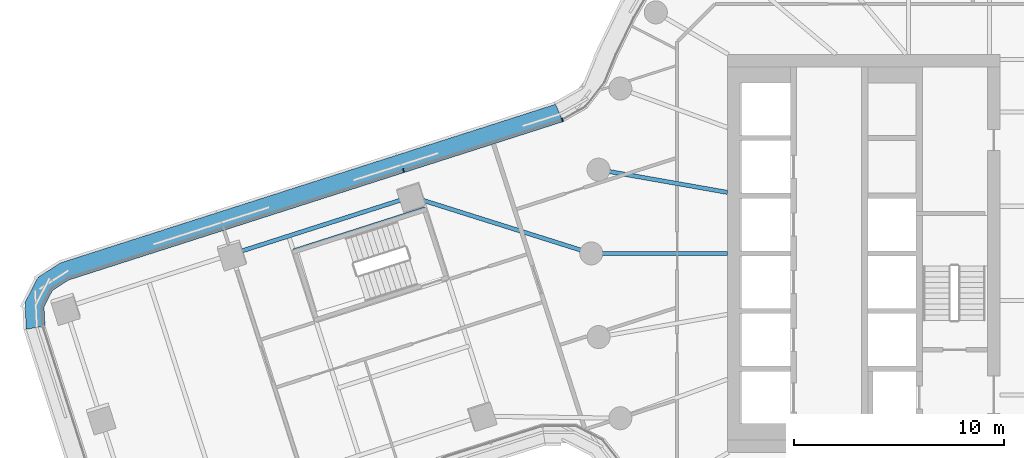
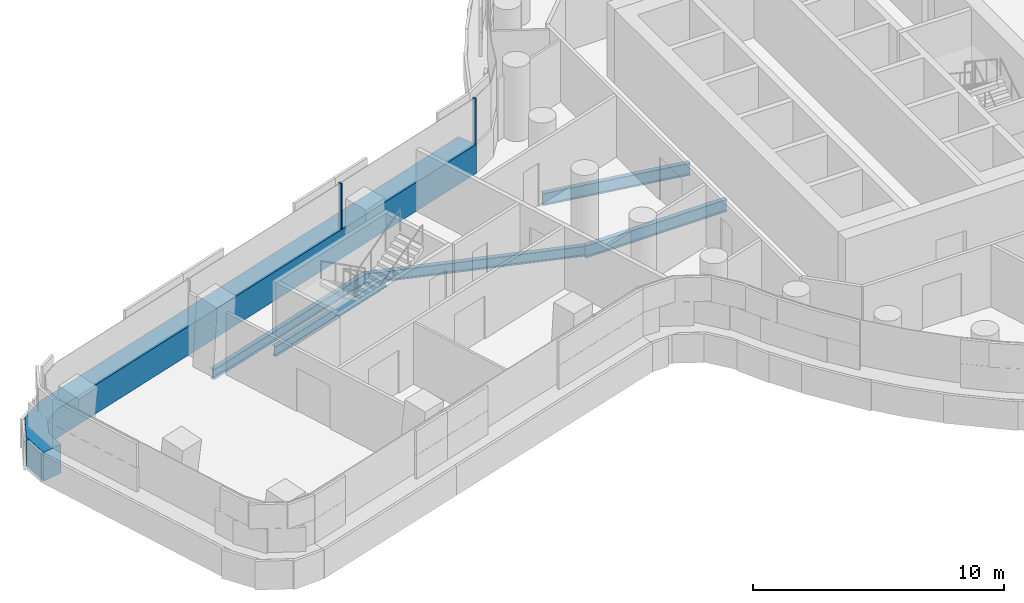
# One storey, part 6 of 30: 5 beams, 3 members, 1 element without a shape of its own.
"""IFC4 building model written with IfcOpenShell, lengths in metres."""

from ifc_helpers import new_model, si_unit, direction, frame, origin, origin_2d, place, context, subcontext, project, spatial, polyline, rectangle, i_section, outline, extrude, material, layer, layer_set, material_profile, profile_set, type_object, element, aggregate, save


model = new_model("IFC4")

# Units and contexts
model_context = context("Model", 3, precision=1e-05, world=origin(), true_north=direction((0.0, 1.0)))
body_context = subcontext(model_context, "Body", "Model", "MODEL_VIEW")
ifc_project = project(units=[si_unit("LENGTHUNIT", "METRE"), si_unit("AREAUNIT", "SQUARE_METRE"), si_unit("VOLUMEUNIT", "CUBIC_METRE"), si_unit("PLANEANGLEUNIT", "RADIAN"), si_unit("MASSUNIT", "GRAM", prefix="KILO")], contexts=[model_context])

# Site, building, storey
site_placement = place(None, origin())
site = spatial("IfcSite", under=ifc_project, at=site_placement, CompositionType="ELEMENT")
building_placement = place(site_placement, origin())
building = spatial("IfcBuilding", under=site, at=building_placement, Name="Tamarind Cross Interchange Tower", CompositionType="ELEMENT")
storey_placement = place(building_placement, frame((0.0, 0.0, 98.5)))
storey = spatial("IfcBuildingStorey", under=building, at=storey_placement, Name="L23", CompositionType="ELEMENT", Elevation=98.5)

# Beams
ifc_material_1 = material(Name="Steel Q355B", Category="steel")
ifc_material_profile_1 = material_profile(ifc_material_1, i_section(OverallWidth=0.198974609375, OverallDepth=0.49609375, WebThickness=0.009033203125, FlangeThickness=0.013916015625, FilletRadius=0.012939453125, at=origin_2d()), Name="HN 496x199x9x14")
ifc_profile_set_1 = profile_set([ifc_material_profile_1], Name="Steel Q355B")
beam_type_1 = type_object("IfcBeamType", Name="Composite beam HN 496x199x9x14 Q355B", PredefinedType="BEAM", material=ifc_profile_set_1)
beam_1_placement = place(storey_placement, frame((-40.153076171875, -0.03955078125, -0.387939453125), z_axis=(0.952336859309, 0.305048367314, 0.0), x_axis=(-0.305048367314, 0.952336859309, 0.0)))
element("IfcBeam", 1, at=beam_1_placement, inside=storey, type_object=beam_type_1, Name="Beam W-edgeem6", PredefinedType="BEAM", context=body_context, shape_type="SweptSolid", body=[
    extrude(i_section(OverallWidth=0.198974609375, OverallDepth=0.49609375, WebThickness=0.009033203125, FlangeThickness=0.013916015625, FilletRadius=0.012939453125, at=origin_2d()), origin(), (0.0, 0.0, 1.0), 8.999755859375),
])
beam_2_placement = place(storey_placement, frame((-31.582275390625, 2.705810546875, -0.387939453125), z_axis=(0.953722384081, -0.300688566631, 0.0), x_axis=(0.300688566631, 0.953722384081, 0.0)))
element("IfcBeam", 2, at=beam_2_placement, inside=storey, type_object=beam_type_1, Name="Beam W-linkem", PredefinedType="BEAM", context=body_context, shape_type="SweptSolid", body=[
    extrude(i_section(OverallWidth=0.198974609375, OverallDepth=0.49609375, WebThickness=0.009033203125, FlangeThickness=0.013916015625, FilletRadius=0.012939453125, at=origin_2d()), origin(), (0.0, 0.0, 1.0), 8.998779296875),
])
beam_3_placement = place(storey_placement, frame((-30.9248046875, 2.12890625, -0.387939453125), z_axis=(-0.952331760351, -0.3050642854, 0.0), x_axis=(0.3050642854, -0.952331760351, 0.0)))
element("IfcBeam", 3, at=beam_3_placement, inside=storey, type_object=beam_type_1, Name="Beam W-tr0", PredefinedType="BEAM", context=body_context, shape_type="SweptSolid", body=[
    extrude(i_section(OverallWidth=0.198974609375, OverallDepth=0.49609375, WebThickness=0.009033203125, FlangeThickness=0.013916015625, FilletRadius=0.012939453125, at=origin_2d()), origin(), (0.0, 0.0, 1.0), 6.60009765625),
])
ifc_material_profile_2 = material_profile(ifc_material_1, i_section(OverallWidth=0.198974609375, OverallDepth=0.595947265625, WebThickness=0.010009765625, FlangeThickness=0.014892578125, FilletRadius=0.012939453125, at=origin_2d()), Name="HN 596x199x10x15")
ifc_profile_set_2 = profile_set([ifc_material_profile_2], Name="Steel Q355B")
beam_type_2 = type_object("IfcBeamType", Name="Composite beam HN 596x199x10x15 Q355B", PredefinedType="BEAM", material=ifc_profile_set_2)
beam_4_placement = place(storey_placement, frame((-22.650634765625, 3.993896484375, -0.43798828125), z_axis=(0.984809127561, -0.173640382036, 0.0), x_axis=(0.173640382036, 0.984809127561, 0.0)))
element("IfcBeam", 4, at=beam_4_placement, inside=storey, type_object=beam_type_2, Name="Beam HH17", PredefinedType="BEAM", context=body_context, shape_type="SweptSolid", body=[
    extrude(i_section(OverallWidth=0.198974609375, OverallDepth=0.595947265625, WebThickness=0.010009765625, FlangeThickness=0.014892578125, FilletRadius=0.012939453125, at=origin_2d()), origin(), (0.0, 0.0, 1.0), 6.24560546875),
])
beam_5_placement = place(storey_placement, frame((-23.0, 0.0, -0.43798828125), z_axis=(1.0, 0.0, 0.0), x_axis=(0.0, 1.0, 0.0)))
element("IfcBeam", 5, at=beam_5_placement, inside=storey, type_object=beam_type_2, Name="Beam HH18", PredefinedType="BEAM", context=body_context, shape_type="SweptSolid", body=[
    extrude(i_section(OverallWidth=0.198974609375, OverallDepth=0.595947265625, WebThickness=0.010009765625, FlangeThickness=0.014892578125, FilletRadius=0.012939453125, at=origin_2d()), origin(), (0.0, 0.0, 1.0), 6.5),
])

# Curtain wall, members
ifc_material_2 = material(Name="Aluminium 6063-T6", Category="aluminium")
ifc_layer = layer(ifc_material_2, 0.159912109375)
ifc_layer_set = layer_set([ifc_layer], Name="Aluminium 6063-T6")
curtain_wall_type = type_object("IfcCurtainWallType", Name="Office curtain wall, 9.0 m bays", PredefinedType="NOTDEFINED", material=ifc_layer_set)
curtain_wall_placement = place(storey_placement, origin())
curtain_wall = element("IfcCurtainWall", 6, at=curtain_wall_placement, inside=storey, type_object=curtain_wall_type, Name="CWS-L23-07", PredefinedType="NOTDEFINED")
ifc_material_3 = material(Name="Aluminium and insulated spandrel panel", Category="aluminium")
member_type_1 = type_object("IfcMemberType", Name="Floor-edge blade transom", PredefinedType="USERDEFINED", material=ifc_material_3)
member_1_placement = place(storey_placement, origin())
member_1 = element("IfcMember", 7, at=member_1_placement, type_object=member_type_1, Name="CWT-L23-07", ObjectType="TRANSOM", PredefinedType="USERDEFINED", context=body_context, shape_type="SweptSolid", body=[
    extrude(outline(polyline([(-24.342529296875, 6.284912109375), (-47.940185546875, -1.27392578125), (-48.7099609375, -1.769287109375), (-49.1103515625, -2.546875), (-49.066162109375, -3.461181640625), (-49.95947265625, -3.623046875), (-50.020751953125, -2.349365234375), (-49.39990234375, -1.14306640625), (-48.32763671875, -0.453125), (-24.7041015625, 7.1142578125), (-24.342529296875, 6.284912109375)])), origin(), (0.0, 0.0, 1.0), 1.39990234375),
])
ifc_material_profile_3 = material_profile(ifc_material_2, rectangle(XDim=0.06005859375, YDim=0.159912109375, at=origin_2d()), Name="Mullion CW1")
ifc_profile_set_3 = profile_set([ifc_material_profile_3], Name="Aluminium 6063-T6")
member_type_2 = type_object("IfcMemberType", Name="Mullion CW1", PredefinedType="MULLION", material=ifc_profile_set_3)
member_2_placement = place(storey_placement, frame((-24.3828125, 6.377197265625, 1.39990234375), z_axis=(0.0, 0.0, 1.0), x_axis=(-0.916742364941, -0.399478956045, 0.0)))
member_2 = element("IfcMember", 8, at=member_2_placement, type_object=member_type_2, Name="CWM-L23-07-00", PredefinedType="MULLION", context=body_context, shape_type="SweptSolid", body=[
    extrude(rectangle(XDim=0.06005859375, YDim=0.159912109375, at=origin_2d()), origin(), (0.0, 0.0, 1.0), 2.210205078125),
])
member_3_placement = place(storey_placement, frame((-31.95751953125, 3.95068359375, 1.39990234375), z_axis=(0.0, 0.0, 1.0), x_axis=(-0.95233405785, -0.305057113111, 0.0)))
member_3 = element("IfcMember", 9, at=member_3_placement, type_object=member_type_2, Name="CWM-L23-07-01", PredefinedType="MULLION", context=body_context, shape_type="SweptSolid", body=[
    extrude(rectangle(XDim=0.06005859375, YDim=0.159912109375, at=origin_2d()), origin(), (0.0, 0.0, 1.0), 2.210205078125),
])
aggregate(curtain_wall, [member_2, member_3, member_1])

save(model, "model.ifc")
